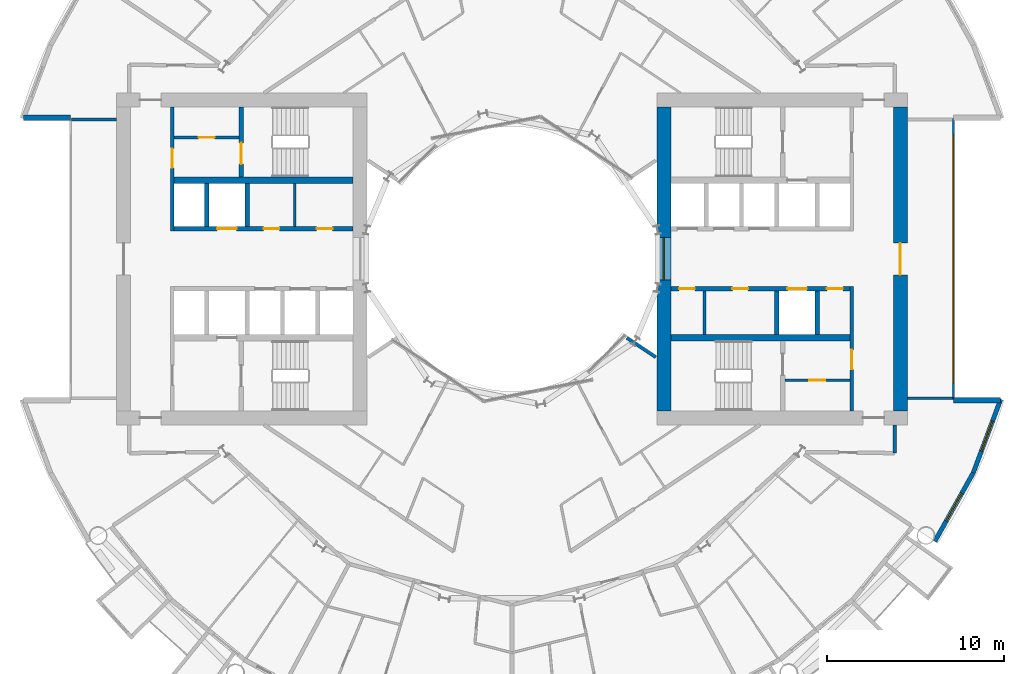
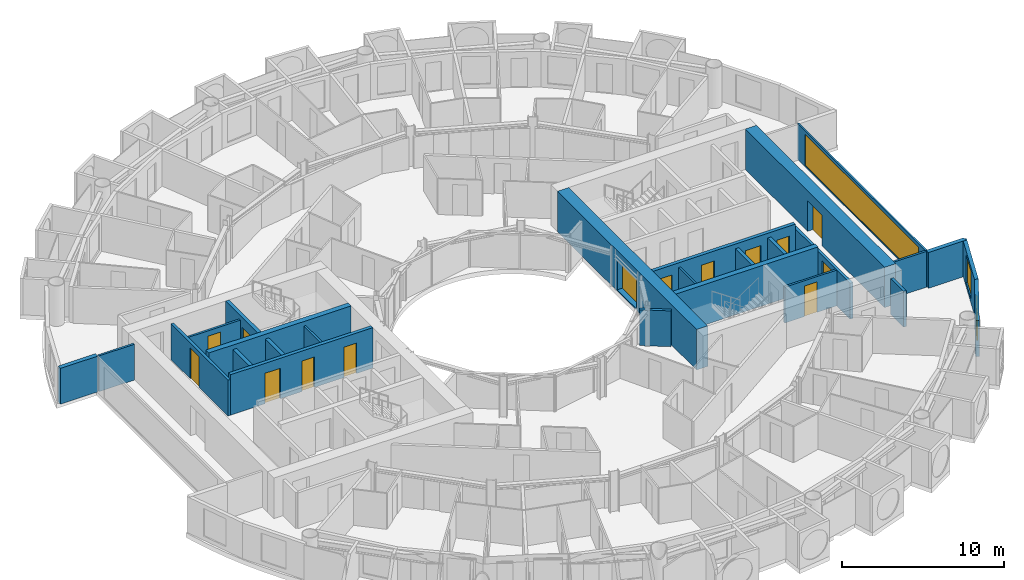
# One storey, part 17 of 26: 26 walls, 13 doors, 4 windows, 17 openings.
"""IFC4 building model written with IfcOpenShell, lengths in metres."""

from ifc_helpers import new_model, si_unit, direction, frame, frame_2d, origin, place, context, subcontext, project, spatial, rectangle, extrude, material, layer, layer_set, type_object, element, fill, save


model = new_model("IFC4")

# Units and contexts
model_context = context("Model", 3, precision=1e-05, world=origin(), true_north=direction((0.0, 1.0)))
body_context = subcontext(model_context, "Body", "Model", "MODEL_VIEW")
ifc_project = project(units=[si_unit("LENGTHUNIT", "METRE"), si_unit("AREAUNIT", "SQUARE_METRE"), si_unit("VOLUMEUNIT", "CUBIC_METRE"), si_unit("PLANEANGLEUNIT", "RADIAN"), si_unit("MASSUNIT", "GRAM", prefix="KILO")], contexts=[model_context])

# Site, building, storey
site_placement = place(None, origin())
site = spatial("IfcSite", under=ifc_project, at=site_placement, CompositionType="ELEMENT")
building_placement = place(site_placement, origin())
building = spatial("IfcBuilding", under=site, at=building_placement, Name="Maasbend Ring Residences", CompositionType="ELEMENT")
storey_placement = place(building_placement, frame((0.0, 0.0, 31.949951171875)))
storey = spatial("IfcBuildingStorey", under=building, at=storey_placement, Name="L08", CompositionType="ELEMENT", Elevation=31.949951171875)

# Wall, openings, doors
ifc_material_1 = material(Name="Concrete C70/85", Category="concrete")
ifc_layer_1 = layer(ifc_material_1, 0.25)
ifc_layer_set_1 = layer_set([ifc_layer_1], Name="Concrete C70/85")
wall_type_1 = type_object("IfcWallType", Name="CORE WALL 250 C70/85", PredefinedType="SHEAR", material=ifc_layer_set_1)
wall_1_placement = place(storey_placement, frame((19.14990234375, -1.699951171875, 0.0), z_axis=(0.0, 0.0, 1.0), x_axis=(-1.0, 0.0, 0.0)))
wall_1 = element("IfcWall", 1, at=wall_1_placement, inside=storey, type_object=wall_type_1, Name="L08 core E wall SPS", PredefinedType="SHEAR", context=body_context, shape_type="SweptSolid", body=[
    extrude(rectangle(XDim=10.14990234375, YDim=0.25, at=frame_2d((5.074951171875, 0.0))), origin(), (0.0, 0.0, 1.0), 3.050048828125),
])
opening_1_placement = place(wall_1_placement, frame((2.449951171875, 0.0, 0.0)))
opening_1 = element("IfcOpeningElement", 2, at=opening_1_placement, cuts=wall_1, Name="Opening LD-E0805", PredefinedType="OPENING", context=body_context, shape_type="SweptSolid", body=[
    extrude(rectangle(XDim=1.10009765625, YDim=2.300048828125, at=frame_2d((0.550048828125, 1.14990234375))), frame((0.0, 0.135009765625, 0.0), z_axis=(0.0, -1.0, 0.0), x_axis=(1.0, 0.0, 0.0)), (0.0, 0.0, 1.0), 0.27001953125),
])
opening_2_placement = place(wall_1_placement, frame((8.78759765625, 0.0, 0.0)))
opening_2 = element("IfcOpeningElement", 3, at=opening_2_placement, cuts=wall_1, Name="Opening D-E0806", PredefinedType="OPENING", context=body_context, shape_type="SweptSolid", body=[
    extrude(rectangle(XDim=0.89990234375, YDim=2.300048828125, at=frame_2d((0.449951171875, 1.14990234375))), frame((0.0, 0.135009765625, 0.0), z_axis=(0.0, -1.0, 0.0), x_axis=(1.0, 0.0, 0.0)), (0.0, 0.0, 1.0), 0.27001953125),
])
opening_3_placement = place(wall_1_placement, frame((5.77490234375, 0.0, 0.0)))
opening_3 = element("IfcOpeningElement", 4, at=opening_3_placement, cuts=wall_1, Name="Opening D-E0807", PredefinedType="OPENING", context=body_context, shape_type="SweptSolid", body=[
    extrude(rectangle(XDim=0.89990234375, YDim=2.300048828125, at=frame_2d((0.449951171875, 1.14990234375))), frame((0.0, 0.135009765625, 0.0), z_axis=(0.0, -1.0, 0.0), x_axis=(1.0, 0.0, 0.0)), (0.0, 0.0, 1.0), 0.27001953125),
])
opening_4_placement = place(wall_1_placement, frame((0.41259765625, 0.0, 0.0)))
opening_4 = element("IfcOpeningElement", 5, at=opening_4_placement, cuts=wall_1, Name="Opening D-E0808", PredefinedType="OPENING", context=body_context, shape_type="SweptSolid", body=[
    extrude(rectangle(XDim=0.89990234375, YDim=2.300048828125, at=frame_2d((0.449951171875, 1.14990234375))), frame((0.0, 0.135009765625, 0.0), z_axis=(0.0, -1.0, 0.0), x_axis=(1.0, 0.0, 0.0)), (0.0, 0.0, 1.0), 0.27001953125),
])
ifc_material_2 = material(Name="Stainless steel 316", Category="steel")
door_type_1 = type_object("IfcDoorType", Name="LANDING DOOR 1100 X 2300 FD60", OperationType="DOUBLE_DOOR_SLIDING", PredefinedType="DOOR", material=ifc_material_2)
door_1_placement = place(opening_1_placement, origin())
door_1 = element("IfcDoor", 6, at=door_1_placement, inside=storey, type_object=door_type_1, Name="Landing door SV-E L08", OperationType="DOUBLE_DOOR_SLIDING", OverallHeight=2.300048828125, OverallWidth=1.10009765625, PredefinedType="DOOR", context=body_context, shape_type="SweptSolid", body=[
    extrude(rectangle(XDim=1.10009765625, YDim=2.300048828125, at=frame_2d((0.550048828125, 1.14990234375))), frame((0.0, 0.02490234375, 0.0), z_axis=(0.0, -1.0, 0.0), x_axis=(1.0, 0.0, 0.0)), (0.0, 0.0, 1.0), 0.050048828125),
])
fill(opening_1, door_1)
ifc_material_3 = material(Name="Steel, powder coated", Category="steel")
door_type_2 = type_object("IfcDoorType", Name="ROOM DOOR 900 X 2300 FD30S", OperationType="NOTDEFINED", PredefinedType="DOOR", material=ifc_material_3)
door_2_placement = place(opening_2_placement, origin())
door_2 = element("IfcDoor", 7, at=door_2_placement, inside=storey, type_object=door_type_2, Name="Room door L08", OperationType="SINGLE_SWING_LEFT", OverallHeight=2.300048828125, OverallWidth=0.89990234375, PredefinedType="DOOR", context=body_context, shape_type="SweptSolid", body=[
    extrude(rectangle(XDim=0.89990234375, YDim=2.300048828125, at=frame_2d((0.449951171875, 1.14990234375))), frame((0.0, 0.02490234375, 0.0), z_axis=(0.0, -1.0, 0.0), x_axis=(1.0, 0.0, 0.0)), (0.0, 0.0, 1.0), 0.050048828125),
])
fill(opening_2, door_2)
door_3_placement = place(opening_3_placement, origin())
door_3 = element("IfcDoor", 8, at=door_3_placement, inside=storey, type_object=door_type_2, Name="Room door L08", OperationType="SINGLE_SWING_LEFT", OverallHeight=2.300048828125, OverallWidth=0.89990234375, PredefinedType="DOOR", context=body_context, shape_type="SweptSolid", body=[
    extrude(rectangle(XDim=0.89990234375, YDim=2.300048828125, at=frame_2d((0.449951171875, 1.14990234375))), frame((0.0, 0.02490234375, 0.0), z_axis=(0.0, -1.0, 0.0), x_axis=(1.0, 0.0, 0.0)), (0.0, 0.0, 1.0), 0.050048828125),
])
fill(opening_3, door_3)
door_4_placement = place(opening_4_placement, origin())
door_4 = element("IfcDoor", 9, at=door_4_placement, inside=storey, type_object=door_type_2, Name="Room door L08", OperationType="SINGLE_SWING_RIGHT", OverallHeight=2.300048828125, OverallWidth=0.89990234375, PredefinedType="DOOR", context=body_context, shape_type="SweptSolid", body=[
    extrude(rectangle(XDim=0.89990234375, YDim=2.300048828125, at=frame_2d((0.449951171875, 1.14990234375))), frame((0.0, 0.02490234375, 0.0), z_axis=(0.0, -1.0, 0.0), x_axis=(1.0, 0.0, 0.0)), (0.0, 0.0, 1.0), 0.050048828125),
])
fill(opening_4, door_4)

wall_2_placement = place(storey_placement, frame((-19.14990234375, 1.699951171875, 0.0), z_axis=(0.0, 0.0, 1.0), x_axis=(1.0, 0.0, 0.0)))
wall_2 = element("IfcWall", 10, at=wall_2_placement, inside=storey, type_object=wall_type_1, Name="L08 core W wall SPS", PredefinedType="SHEAR", context=body_context, shape_type="SweptSolid", body=[
    extrude(rectangle(XDim=10.14990234375, YDim=0.25, at=frame_2d((5.074951171875, 0.0))), origin(), (0.0, 0.0, 1.0), 3.050048828125),
])
opening_5_placement = place(wall_2_placement, frame((2.449951171875, 0.0, 0.0)))
opening_5 = element("IfcOpeningElement", 11, at=opening_5_placement, cuts=wall_2, Name="Opening LD-W0805", PredefinedType="OPENING", context=body_context, shape_type="SweptSolid", body=[
    extrude(rectangle(XDim=1.10009765625, YDim=2.300048828125, at=frame_2d((0.550048828125, 1.14990234375))), frame((0.0, 0.135009765625, 0.0), z_axis=(0.0, -1.0, 0.0), x_axis=(1.0, 0.0, 0.0)), (0.0, 0.0, 1.0), 0.27001953125),
])
opening_6_placement = place(wall_2_placement, frame((8.08740234375, 0.0, 0.0)))
opening_6 = element("IfcOpeningElement", 12, at=opening_6_placement, cuts=wall_2, Name="Opening D-W0806", PredefinedType="OPENING", context=body_context, shape_type="SweptSolid", body=[
    extrude(rectangle(XDim=0.89990234375, YDim=2.300048828125, at=frame_2d((0.449951171875, 1.14990234375))), frame((0.0, 0.135009765625, 0.0), z_axis=(0.0, -1.0, 0.0), x_axis=(1.0, 0.0, 0.0)), (0.0, 0.0, 1.0), 0.27001953125),
])
opening_7_placement = place(wall_2_placement, frame((5.074951171875, 0.0, 0.0)))
opening_7 = element("IfcOpeningElement", 13, at=opening_7_placement, cuts=wall_2, Name="Opening D-W0807", PredefinedType="OPENING", context=body_context, shape_type="SweptSolid", body=[
    extrude(rectangle(XDim=0.89990234375, YDim=2.300048828125, at=frame_2d((0.449951171875, 1.14990234375))), frame((0.0, 0.135009765625, 0.0), z_axis=(0.0, -1.0, 0.0), x_axis=(1.0, 0.0, 0.0)), (0.0, 0.0, 1.0), 0.27001953125),
])
door_5_placement = place(opening_5_placement, origin())
door_5 = element("IfcDoor", 14, at=door_5_placement, inside=storey, type_object=door_type_1, Name="Landing door SV-W L08", OperationType="DOUBLE_DOOR_SLIDING", OverallHeight=2.300048828125, OverallWidth=1.10009765625, PredefinedType="DOOR", context=body_context, shape_type="SweptSolid", body=[
    extrude(rectangle(XDim=1.10009765625, YDim=2.300048828125, at=frame_2d((0.550048828125, 1.14990234375))), frame((0.0, 0.02490234375, 0.0), z_axis=(0.0, -1.0, 0.0), x_axis=(1.0, 0.0, 0.0)), (0.0, 0.0, 1.0), 0.050048828125),
])
fill(opening_5, door_5)
door_6_placement = place(opening_6_placement, origin())
door_6 = element("IfcDoor", 15, at=door_6_placement, inside=storey, type_object=door_type_2, Name="Room door L08", OperationType="SINGLE_SWING_LEFT", OverallHeight=2.300048828125, OverallWidth=0.89990234375, PredefinedType="DOOR", context=body_context, shape_type="SweptSolid", body=[
    extrude(rectangle(XDim=0.89990234375, YDim=2.300048828125, at=frame_2d((0.449951171875, 1.14990234375))), frame((0.0, 0.02490234375, 0.0), z_axis=(0.0, -1.0, 0.0), x_axis=(1.0, 0.0, 0.0)), (0.0, 0.0, 1.0), 0.050048828125),
])
fill(opening_6, door_6)
door_7_placement = place(opening_7_placement, origin())
door_7 = element("IfcDoor", 16, at=door_7_placement, inside=storey, type_object=door_type_2, Name="Room door L08", OperationType="SINGLE_SWING_LEFT", OverallHeight=2.300048828125, OverallWidth=0.89990234375, PredefinedType="DOOR", context=body_context, shape_type="SweptSolid", body=[
    extrude(rectangle(XDim=0.89990234375, YDim=2.300048828125, at=frame_2d((0.449951171875, 1.14990234375))), frame((0.0, 0.02490234375, 0.0), z_axis=(0.0, -1.0, 0.0), x_axis=(1.0, 0.0, 0.0)), (0.0, 0.0, 1.0), 0.050048828125),
])
fill(opening_7, door_7)

# Wall, opening, door
wall_3_placement = place(storey_placement, frame((-15.324951171875, 8.60009765625, 0.0), z_axis=(0.0, 0.0, 1.0), x_axis=(0.0, -1.0, 0.0)))
wall_3 = element("IfcWall", 17, at=wall_3_placement, inside=storey, type_object=wall_type_1, Name="L08 core W wall STES", PredefinedType="SHEAR", context=body_context, shape_type="SweptSolid", body=[
    extrude(rectangle(XDim=3.9501953125, YDim=0.25, at=frame_2d((1.97509765625, 0.0))), origin(), (0.0, 0.0, 1.0), 3.050048828125),
])
opening_8_placement = place(wall_3_placement, frame((2.02490234375, 0.0, 0.0)))
opening_8 = element("IfcOpeningElement", 18, at=opening_8_placement, cuts=wall_3, Name="Opening D-W0810", PredefinedType="OPENING", context=body_context, shape_type="SweptSolid", body=[
    extrude(rectangle(XDim=1.199951171875, YDim=2.300048828125, at=frame_2d((0.60009765625, 1.14990234375))), frame((0.0, 0.135009765625, 0.0), z_axis=(0.0, -1.0, 0.0), x_axis=(1.0, 0.0, 0.0)), (0.0, 0.0, 1.0), 0.27001953125),
])
ifc_material_4 = material(Name="Steel, powder coated", Category="steel")
door_type_3 = type_object("IfcDoorType", Name="STAIR DOOR 1200 X 2300 FD60", OperationType="NOTDEFINED", PredefinedType="DOOR", material=ifc_material_4)
door_8_placement = place(opening_8_placement, origin())
door_8 = element("IfcDoor", 19, at=door_8_placement, inside=storey, type_object=door_type_3, Name="Stair door ST-W L08", OperationType="SINGLE_SWING_LEFT", OverallHeight=2.300048828125, OverallWidth=1.199951171875, PredefinedType="DOOR", context=body_context, shape_type="SweptSolid", body=[
    extrude(rectangle(XDim=1.199951171875, YDim=2.300048828125, at=frame_2d((0.60009765625, 1.14990234375))), frame((0.0, 0.02490234375, 0.0), z_axis=(0.0, -1.0, 0.0), x_axis=(1.0, 0.0, 0.0)), (0.0, 0.0, 1.0), 0.050048828125),
])
fill(opening_8, door_8)

# Walls
ifc_material_5 = material(Name="Concrete C70/85", Category="concrete")
ifc_layer_2 = layer(ifc_material_5, 0.375)
ifc_layer_set_2 = layer_set([ifc_layer_2], Name="Concrete C70/85")
wall_type_2 = type_object("IfcWallType", Name="CORE WALL 375 C70/85", PredefinedType="SHEAR", material=ifc_layer_set_2)
for number, where, z_axis, x_axis, name in (
    (20, (9.0, -4.46240234375, 0.0), (0.0, 0.0, 1.0), (1.0, 0.0, 0.0), "L08 core E wall BS"),
    (21, (-9.0, 4.46240234375, 0.0), (0.0, 0.0, 1.0), (-1.0, 0.0, 0.0), "L08 core W wall BS"),
):
    element("IfcWall", number, at=place(storey_placement, frame(where, z_axis=z_axis, x_axis=x_axis)), inside=storey, type_object=wall_type_2, Name=name, PredefinedType="SHEAR", context=body_context, shape_type="SweptSolid", body=[
        extrude(rectangle(XDim=10.14990234375, YDim=0.375, at=frame_2d((5.074951171875, 0.0))), origin(), (0.0, 0.0, 1.0), 3.050048828125),
    ])

# Wall, opening, door
ifc_material_6 = material(Name="Concrete C70/85", Category="concrete")
ifc_layer_3 = layer(ifc_material_6, 0.800048828125)
ifc_layer_set_3 = layer_set([ifc_layer_3], Name="Concrete C70/85")
wall_type_3 = type_object("IfcWallType", Name="CORE WALL 800 C70/85", PredefinedType="SHEAR", material=ifc_layer_set_3)
wall_4_placement = place(storey_placement, frame((22.0, 8.60009765625, 0.0), z_axis=(0.0, 0.0, 1.0), x_axis=(0.0, -1.0, 0.0)))
wall_4 = element("IfcWall", 22, at=wall_4_placement, inside=storey, type_object=wall_type_3, Name="L08 core E wall POUT", PredefinedType="SHEAR", context=body_context, shape_type="SweptSolid", body=[
    extrude(rectangle(XDim=17.2001953125, YDim=0.800048828125, at=frame_2d((8.60009765625, 0.0))), origin(), (0.0, 0.0, 1.0), 3.050048828125),
])
opening_9_placement = place(wall_4_placement, frame((7.699951171875, 0.0, 0.0)))
opening_9 = element("IfcOpeningElement", 23, at=opening_9_placement, cuts=wall_4, Name="Opening D-E0816", PredefinedType="OPENING", context=body_context, shape_type="SweptSolid", body=[
    extrude(rectangle(XDim=1.800048828125, YDim=2.300048828125, at=frame_2d((0.89990234375, 1.14990234375))), frame((0.0, 0.41015625, 0.0), z_axis=(0.0, -1.0, 0.0), x_axis=(1.0, 0.0, 0.0)), (0.0, 0.0, 1.0), 0.820068359375),
])
ifc_material_7 = material(Name="Aluminium frame, clear glass", Category="aluminium")
door_type_4 = type_object("IfcDoorType", Name="ENTRANCE DOOR 1800 X 2300 FD60", OperationType="NOTDEFINED", PredefinedType="DOOR", material=ifc_material_7)
door_9_placement = place(opening_9_placement, origin())
door_9 = element("IfcDoor", 24, at=door_9_placement, inside=storey, type_object=door_type_4, Name="Lobby glazed door L08", OperationType="SINGLE_SWING_LEFT", OverallHeight=2.300048828125, OverallWidth=1.800048828125, PredefinedType="DOOR", context=body_context, shape_type="SweptSolid", body=[
    extrude(rectangle(XDim=1.800048828125, YDim=2.300048828125, at=frame_2d((0.89990234375, 1.14990234375))), frame((0.0, 0.02490234375, 0.0), z_axis=(0.0, -1.0, 0.0), x_axis=(1.0, 0.0, 0.0)), (0.0, 0.0, 1.0), 0.050048828125),
])
fill(opening_9, door_9)

# Wall, opening, window
wall_5_placement = place(storey_placement, frame((8.60009765625, -8.60009765625, 0.0), z_axis=(0.0, 0.0, 1.0), x_axis=(0.0, 1.0, 0.0)))
wall_5 = element("IfcWall", 25, at=wall_5_placement, inside=storey, type_object=wall_type_3, Name="L08 core E wall PIN", PredefinedType="SHEAR", context=body_context, shape_type="SweptSolid", body=[
    extrude(rectangle(XDim=17.2001953125, YDim=0.800048828125, at=frame_2d((8.60009765625, 0.0))), origin(), (0.0, 0.0, 1.0), 3.050048828125),
])
opening_10_placement = place(wall_5_placement, frame((7.39990234375, 0.0, 0.10009765625)))
opening_10 = element("IfcOpeningElement", 26, at=opening_10_placement, cuts=wall_5, Name="Opening W-E0801", PredefinedType="OPENING", context=body_context, shape_type="SweptSolid", body=[
    extrude(rectangle(XDim=2.39990234375, YDim=2.199951171875, at=frame_2d((1.199951171875, 1.10009765625))), frame((0.0, 0.41015625, 0.0), z_axis=(0.0, -1.0, 0.0), x_axis=(1.0, 0.0, 0.0)), (0.0, 0.0, 1.0), 0.820068359375),
])
ifc_material_8 = material(Name="Aluminium frame and clear glass", Category="aluminium")
window_type_1 = type_object("IfcWindowType", Name="FIXED WINDOW 2400 X 2200", PartitioningType="SINGLE_PANEL", PredefinedType="WINDOW", material=ifc_material_8)
window_1_placement = place(opening_10_placement, origin())
window_1 = element("IfcWindow", 27, at=window_1_placement, inside=storey, type_object=window_type_1, Name="Lobby window L08", OverallHeight=2.199951171875, OverallWidth=2.39990234375, PartitioningType="SINGLE_PANEL", PredefinedType="WINDOW", context=body_context, shape_type="SweptSolid", body=[
    extrude(rectangle(XDim=2.39990234375, YDim=2.199951171875, at=frame_2d((1.199951171875, 1.10009765625))), frame((0.0, 0.030029296875, 0.0), z_axis=(0.0, -1.0, 0.0), x_axis=(1.0, 0.0, 0.0)), (0.0, 0.0, 1.0), 0.06005859375),
])
fill(opening_10, window_1)

# Wall
ifc_material_9 = material(Name="Concrete C30/37", Category="concrete")
ifc_layer_4 = layer(ifc_material_9, 0.199951171875)
ifc_layer_set_4 = layer_set([ifc_layer_4], Name="Concrete C30/37")
wall_type_4 = type_object("IfcWallType", Name="CORRIDOR WALL 200 CONCRETE", PredefinedType="PARTITIONING", material=ifc_layer_set_4)
wall_6_placement = place(storey_placement, frame((21.675048828125, -11.0, 0.0), z_axis=(0.0, 0.0, 1.0), x_axis=(0.0, 1.0, 0.0)))
element("IfcWall", 28, at=wall_6_placement, inside=storey, type_object=wall_type_4, Name="U-L08-w001", PredefinedType="PARTITIONING", context=body_context, shape_type="SweptSolid", body=[
    extrude(rectangle(XDim=1.60009765625, YDim=0.199951171875, at=frame_2d((0.800048828125, 0.0))), origin(), (0.0, 0.0, 1.0), 2.699951171875),
])

# Wall, opening, window
ifc_material_10 = material(Name="Aluminium clad insulated panel", Category="aluminium")
ifc_layer_5 = layer(ifc_material_10, 0.25)
ifc_layer_set_5 = layer_set([ifc_layer_5], Name="EW-HORN")
wall_type_5 = type_object("IfcWallType", Name="EW-HORN", PredefinedType="SOLIDWALL", material=ifc_layer_set_5)
wall_7_placement = place(storey_placement, frame((23.946044921875, -16.0, 0.0), z_axis=(0.0, 0.0, 1.0), x_axis=(0.489696356642, 0.871893042919, 0.0)))
wall_7 = element("IfcWall", 29, at=wall_7_placement, inside=storey, type_object=wall_type_5, Name="Horn wall 2.1", PredefinedType="SOLIDWALL", context=body_context, shape_type="SweptSolid", body=[
    extrude(rectangle(XDim=4.45361328125, YDim=0.25, at=frame_2d((2.226806640625, 0.0))), origin(), (0.0, 0.0, 1.0), 2.699951171875),
])
opening_11_placement = place(wall_7_placement, frame((1.32666015625, 0.0, 0.300048828125)))
opening_11 = element("IfcOpeningElement", 30, at=opening_11_placement, cuts=wall_7, Name="Opening W-BX", PredefinedType="OPENING", context=body_context, shape_type="SweptSolid", body=[
    extrude(rectangle(XDim=1.800048828125, YDim=2.10009765625, at=frame_2d((0.89990234375, 1.050048828125))), frame((0.0, 0.135009765625, 0.0), z_axis=(0.0, -1.0, 0.0), x_axis=(1.0, 0.0, 0.0)), (0.0, 0.0, 1.0), 0.27001953125),
])
ifc_material_11 = material(Name="Aluminium and clear glass", Category="aluminium")
window_type_2 = type_object("IfcWindowType", Name="W-BX", PartitioningType="DOUBLE_PANEL_VERTICAL", PredefinedType="WINDOW", material=ifc_material_11)
window_2_placement = place(opening_11_placement, origin())
window_2 = element("IfcWindow", 31, at=window_2_placement, inside=storey, type_object=window_type_2, Name="Horn window 2.1", OverallHeight=2.10009765625, OverallWidth=1.800048828125, PartitioningType="SINGLE_PANEL", PredefinedType="WINDOW", context=body_context, shape_type="SweptSolid", body=[
    extrude(rectangle(XDim=1.800048828125, YDim=2.10009765625, at=frame_2d((0.89990234375, 1.050048828125))), frame((0.0, 0.030029296875, 0.0), z_axis=(0.0, -1.0, 0.0), x_axis=(1.0, 0.0, 0.0)), (0.0, 0.0, 1.0), 0.06005859375),
])
fill(opening_11, window_2)

wall_8_placement = place(storey_placement, frame((26.126953125, -12.116943359375, 0.0), z_axis=(0.0, 0.0, 1.0), x_axis=(0.349247811493, 0.937030397675, 0.0)))
wall_8 = element("IfcWall", 32, at=wall_8_placement, inside=storey, type_object=wall_type_5, Name="Horn wall 2.2", PredefinedType="SOLIDWALL", context=body_context, shape_type="SweptSolid", body=[
    extrude(rectangle(XDim=4.4521484375, YDim=0.25, at=frame_2d((2.22607421875, 0.0))), origin(), (0.0, 0.0, 1.0), 2.699951171875),
])
opening_12_placement = place(wall_8_placement, frame((1.32666015625, 0.0, 0.300048828125)))
opening_12 = element("IfcOpeningElement", 33, at=opening_12_placement, cuts=wall_8, Name="Opening W-BX", PredefinedType="OPENING", context=body_context, shape_type="SweptSolid", body=[
    extrude(rectangle(XDim=1.800048828125, YDim=2.10009765625, at=frame_2d((0.89990234375, 1.050048828125))), frame((0.0, 0.135009765625, 0.0), z_axis=(0.0, -1.0, 0.0), x_axis=(1.0, 0.0, 0.0)), (0.0, 0.0, 1.0), 0.27001953125),
])
window_3_placement = place(opening_12_placement, origin())
window_3 = element("IfcWindow", 34, at=window_3_placement, inside=storey, type_object=window_type_2, Name="Horn window 2.2", OverallHeight=2.10009765625, OverallWidth=1.800048828125, PartitioningType="SINGLE_PANEL", PredefinedType="WINDOW", context=body_context, shape_type="SweptSolid", body=[
    extrude(rectangle(XDim=1.800048828125, YDim=2.10009765625, at=frame_2d((0.89990234375, 1.050048828125))), frame((0.0, 0.030029296875, 0.0), z_axis=(0.0, -1.0, 0.0), x_axis=(1.0, 0.0, 0.0)), (0.0, 0.0, 1.0), 0.06005859375),
])
fill(opening_12, window_3)

# Walls
ifc_material_12 = material(Name="Aluminium clad insulated panel", Category="aluminium")
ifc_layer_6 = layer(ifc_material_12, 0.300048828125)
ifc_layer_set_6 = layer_set([ifc_layer_6], Name="EW-RET")
wall_type_6 = type_object("IfcWallType", Name="EW-RET", PredefinedType="SOLIDWALL", material=ifc_layer_set_6)
for number, where, z_axis, x_axis, name in (
    (35, (25.0, -8.0, 0.0), (0.0, 0.0, 1.0), (1.0, 0.0, 0.0), "Notch return wall east south"),
    (36, (-25.0, 8.0, 0.0), (0.0, 0.0, 1.0), (-1.0, 0.0, 0.0), "Notch return wall west north"),
):
    element("IfcWall", number, at=place(storey_placement, frame(where, z_axis=z_axis, x_axis=x_axis)), inside=storey, type_object=wall_type_6, Name=name, PredefinedType="SOLIDWALL", context=body_context, shape_type="SweptSolid", body=[
        extrude(rectangle(XDim=2.6669921875, YDim=0.300048828125, at=frame_2d((1.33349609375, 0.0))), origin(), (0.0, 0.0, 1.0), 2.699951171875),
    ])

# Wall, opening, window
ifc_material_13 = material(Name="Aluminium frame and clear glass", Category="aluminium")
ifc_layer_7 = layer(ifc_material_13, 0.1201171875)
ifc_layer_set_7 = layer_set([ifc_layer_7], Name="GLAZED SCREEN WALL 120 EI 60")
wall_type_7 = type_object("IfcWallType", Name="GLAZED SCREEN WALL 120 EI 60", PredefinedType="PARTITIONING", material=ifc_layer_set_7)
wall_9_placement = place(storey_placement, frame((25.0, -7.949951171875, 0.0), z_axis=(0.0, 0.0, 1.0), x_axis=(0.0, 1.0, 0.0)))
wall_9 = element("IfcWall", 37, at=wall_9_placement, inside=storey, type_object=wall_type_7, Name="L08 core E wall FACE", PredefinedType="PARTITIONING", context=body_context, shape_type="SweptSolid", body=[
    extrude(rectangle(XDim=15.89990234375, YDim=0.1201171875, at=frame_2d((7.949951171875, 0.0))), origin(), (0.0, 0.0, 1.0), 2.699951171875),
])
opening_13_placement = place(wall_9_placement, frame((0.949951171875, 0.0, 0.10009765625)))
opening_13 = element("IfcOpeningElement", 38, at=opening_13_placement, cuts=wall_9, Name="Opening W-E0802", PredefinedType="OPENING", context=body_context, shape_type="SweptSolid", body=[
    extrude(rectangle(XDim=14.0, YDim=2.35009765625, at=frame_2d((7.0, 1.175048828125))), frame((0.0, 0.070068359375, 0.0), z_axis=(0.0, -1.0, 0.0), x_axis=(1.0, 0.0, 0.0)), (0.0, 0.0, 1.0), 0.14013671875),
])
ifc_material_14 = material(Name="Aluminium frame and clear glass", Category="aluminium")
window_type_3 = type_object("IfcWindowType", Name="FIXED WINDOW 14000 X 2350", PartitioningType="SINGLE_PANEL", PredefinedType="WINDOW", material=ifc_material_14)
window_4_placement = place(opening_13_placement, origin())
window_4 = element("IfcWindow", 39, at=window_4_placement, inside=storey, type_object=window_type_3, Name="Lobby window L08", OverallHeight=2.35009765625, OverallWidth=14.0, PartitioningType="SINGLE_PANEL", PredefinedType="WINDOW", context=body_context, shape_type="SweptSolid", body=[
    extrude(rectangle(XDim=14.0, YDim=2.35009765625, at=frame_2d((7.0, 1.175048828125))), frame((0.0, 0.030029296875, 0.0), z_axis=(0.0, -1.0, 0.0), x_axis=(1.0, 0.0, 0.0)), (0.0, 0.0, 1.0), 0.06005859375),
])
fill(opening_13, window_4)

# Wall
ifc_material_15 = material(Name="Gypsum board on steel studs", Category="steel")
ifc_layer_8 = layer(ifc_material_15, 0.14990234375)
ifc_layer_set_8 = layer_set([ifc_layer_8], Name="PARTITION 150 EI 60")
wall_type_8 = type_object("IfcWallType", Name="PARTITION 150 EI 60", PredefinedType="PARTITIONING", material=ifc_layer_set_8)
wall_10_placement = place(storey_placement, frame((10.89990234375, -1.824951171875, 0.0), z_axis=(0.0, 0.0, 1.0), x_axis=(0.0, -1.0, 0.0)))
element("IfcWall", 40, at=wall_10_placement, inside=storey, type_object=wall_type_8, Name="L08 core E wall PRS1090", PredefinedType="PARTITIONING", context=body_context, shape_type="SweptSolid", body=[
    extrude(rectangle(XDim=2.449951171875, YDim=0.14990234375, at=frame_2d((1.22509765625, 0.0))), origin(), (0.0, 0.0, 1.0), 2.699951171875),
])

# Wall, opening, door
wall_11_placement = place(storey_placement, frame((15.449951171875, -6.875, 0.0), z_axis=(0.0, 0.0, 1.0), x_axis=(1.0, 0.0, 0.0)))
wall_11 = element("IfcWall", 41, at=wall_11_placement, inside=storey, type_object=wall_type_8, Name="L08 core E wall RHS", PredefinedType="PARTITIONING", context=body_context, shape_type="SweptSolid", body=[
    extrude(rectangle(XDim=3.699951171875, YDim=0.14990234375, at=frame_2d((1.85009765625, 0.0))), origin(), (0.0, 0.0, 1.0), 2.699951171875),
])
opening_14_placement = place(wall_11_placement, frame((1.39990234375, 0.0, 0.0)))
opening_14 = element("IfcOpeningElement", 42, at=opening_14_placement, cuts=wall_11, Name="Opening D-E0809", PredefinedType="OPENING", context=body_context, shape_type="SweptSolid", body=[
    extrude(rectangle(XDim=0.89990234375, YDim=2.300048828125, at=frame_2d((0.449951171875, 1.14990234375))), frame((0.0, 0.0849609375, 0.0), z_axis=(0.0, -1.0, 0.0), x_axis=(1.0, 0.0, 0.0)), (0.0, 0.0, 1.0), 0.169921875),
])
ifc_material_16 = material(Name="Steel, powder coated", Category="steel")
door_type_5 = type_object("IfcDoorType", Name="RISER DOOR 900 X 2300 FD60", OperationType="NOTDEFINED", PredefinedType="DOOR", material=ifc_material_16)
door_10_placement = place(opening_14_placement, origin())
door_10 = element("IfcDoor", 43, at=door_10_placement, inside=storey, type_object=door_type_5, Name="Riser door L08", OperationType="SINGLE_SWING_LEFT", OverallHeight=2.300048828125, OverallWidth=0.89990234375, PredefinedType="DOOR", context=body_context, shape_type="SweptSolid", body=[
    extrude(rectangle(XDim=0.89990234375, YDim=2.300048828125, at=frame_2d((0.449951171875, 1.14990234375))), frame((0.0, 0.02490234375, 0.0), z_axis=(0.0, -1.0, 0.0), x_axis=(1.0, 0.0, 0.0)), (0.0, 0.0, 1.0), 0.050048828125),
])
fill(opening_14, door_10)

# Walls
wall_12_placement = place(storey_placement, frame((22.39990234375, -7.89990234375, 0.0), z_axis=(0.0, 0.0, 1.0), x_axis=(1.0, 0.0, 0.0)))
element("IfcWall", 44, at=wall_12_placement, inside=storey, type_object=wall_type_8, Name="L08 core E wall CITS", PredefinedType="PARTITIONING", context=body_context, shape_type="SweptSolid", body=[
    extrude(rectangle(XDim=2.5400390625, YDim=0.14990234375, at=frame_2d((1.27001953125, 0.0))), origin(), (0.0, 0.0, 1.0), 2.699951171875),
])
wall_13_placement = place(storey_placement, frame((-12.300048828125, 1.824951171875, 0.0), z_axis=(0.0, 0.0, 1.0), x_axis=(0.0, 1.0, 0.0)))
element("IfcWall", 45, at=wall_13_placement, inside=storey, type_object=wall_type_8, Name="L08 core W wall PRS1230", PredefinedType="PARTITIONING", context=body_context, shape_type="SweptSolid", body=[
    extrude(rectangle(XDim=2.449951171875, YDim=0.14990234375, at=frame_2d((1.22509765625, 0.0))), origin(), (0.0, 0.0, 1.0), 2.699951171875),
])

# Wall, opening, door
wall_14_placement = place(storey_placement, frame((-15.449951171875, 6.875, 0.0), z_axis=(0.0, 0.0, 1.0), x_axis=(-1.0, 0.0, 0.0)))
wall_14 = element("IfcWall", 46, at=wall_14_placement, inside=storey, type_object=wall_type_8, Name="L08 core W wall RHS", PredefinedType="PARTITIONING", context=body_context, shape_type="SweptSolid", body=[
    extrude(rectangle(XDim=3.699951171875, YDim=0.14990234375, at=frame_2d((1.85009765625, 0.0))), origin(), (0.0, 0.0, 1.0), 2.699951171875),
])
opening_15_placement = place(wall_14_placement, frame((1.39990234375, 0.0, 0.0)))
opening_15 = element("IfcOpeningElement", 47, at=opening_15_placement, cuts=wall_14, Name="Opening D-W0808", PredefinedType="OPENING", context=body_context, shape_type="SweptSolid", body=[
    extrude(rectangle(XDim=0.89990234375, YDim=2.300048828125, at=frame_2d((0.449951171875, 1.14990234375))), frame((0.0, 0.0849609375, 0.0), z_axis=(0.0, -1.0, 0.0), x_axis=(1.0, 0.0, 0.0)), (0.0, 0.0, 1.0), 0.169921875),
])
door_11_placement = place(opening_15_placement, origin())
door_11 = element("IfcDoor", 48, at=door_11_placement, inside=storey, type_object=door_type_5, Name="Riser door L08", OperationType="SINGLE_SWING_LEFT", OverallHeight=2.300048828125, OverallWidth=0.89990234375, PredefinedType="DOOR", context=body_context, shape_type="SweptSolid", body=[
    extrude(rectangle(XDim=0.89990234375, YDim=2.300048828125, at=frame_2d((0.449951171875, 1.14990234375))), frame((0.0, 0.02490234375, 0.0), z_axis=(0.0, -1.0, 0.0), x_axis=(1.0, 0.0, 0.0)), (0.0, 0.0, 1.0), 0.050048828125),
])
fill(opening_15, door_11)

# Walls
wall_15_placement = place(storey_placement, frame((-22.39990234375, 7.89990234375, 0.0), z_axis=(0.0, 0.0, 1.0), x_axis=(-1.0, 0.0, 0.0)))
element("IfcWall", 49, at=wall_15_placement, inside=storey, type_object=wall_type_8, Name="L08 core W wall CITS", PredefinedType="PARTITIONING", context=body_context, shape_type="SweptSolid", body=[
    extrude(rectangle(XDim=2.5400390625, YDim=0.14990234375, at=frame_2d((1.27001953125, 0.0))), origin(), (0.0, 0.0, 1.0), 2.699951171875),
])
ifc_material_17 = material(Name="Concrete C30/37", Category="concrete")
ifc_layer_9 = layer(ifc_material_17, 0.199951171875)
ifc_layer_set_9 = layer_set([ifc_layer_9], Name="Concrete C30/37")
wall_type_9 = type_object("IfcWallType", Name="PARTY WALL 200 CONCRETE", PredefinedType="PARTITIONING", material=ifc_layer_set_9)
wall_16_placement = place(storey_placement, frame((6.512939453125, -4.471923828125, 0.0), z_axis=(0.0, 0.0, 1.0), x_axis=(0.831417956244, -0.555647533996, 0.0)))
element("IfcWall", 50, at=wall_16_placement, inside=storey, type_object=wall_type_9, Name="U-L08-w024", PredefinedType="PARTITIONING", context=body_context, shape_type="SweptSolid", body=[
    extrude(rectangle(XDim=1.9619140625, YDim=0.199951171875, at=frame_2d((0.98095703125, 0.0))), origin(), (0.0, 0.0, 1.0), 2.699951171875),
])

# Wall, opening, door
ifc_material_18 = material(Name="Concrete C30/37", Category="concrete")
ifc_layer_10 = layer(ifc_material_18, 0.199951171875)
ifc_layer_set_10 = layer_set([ifc_layer_10], Name="Concrete C30/37")
wall_type_10 = type_object("IfcWallType", Name="SHAFT WALL 200 EI 120", PredefinedType="SOLIDWALL", material=ifc_layer_set_10)
wall_17_placement = place(storey_placement, frame((19.25, -8.60009765625, 0.0), z_axis=(0.0, 0.0, 1.0), x_axis=(0.0, 1.0, 0.0)))
wall_17 = element("IfcWall", 51, at=wall_17_placement, inside=storey, type_object=wall_type_10, Name="L08 core E wall ENDS", PredefinedType="SOLIDWALL", context=body_context, shape_type="SweptSolid", body=[
    extrude(rectangle(XDim=7.025146484375, YDim=0.199951171875, at=frame_2d((3.5126953125, 0.0))), origin(), (0.0, 0.0, 1.0), 2.699951171875),
])
opening_16_placement = place(wall_17_placement, frame((2.35009765625, 0.0, 0.0)))
opening_16 = element("IfcOpeningElement", 52, at=opening_16_placement, cuts=wall_17, Name="Opening D-E0813", PredefinedType="OPENING", context=body_context, shape_type="SweptSolid", body=[
    extrude(rectangle(XDim=1.10009765625, YDim=2.300048828125, at=frame_2d((0.550048828125, 1.14990234375))), frame((0.0, 0.10986328125, 0.0), z_axis=(0.0, -1.0, 0.0), x_axis=(1.0, 0.0, 0.0)), (0.0, 0.0, 1.0), 0.219970703125),
])
ifc_material_19 = material(Name="Steel, powder coated", Category="steel")
door_type_6 = type_object("IfcDoorType", Name="LOBBY DOOR 1100 X 2300 FD60", OperationType="NOTDEFINED", PredefinedType="DOOR", material=ifc_material_19)
door_12_placement = place(opening_16_placement, origin())
door_12 = element("IfcDoor", 53, at=door_12_placement, inside=storey, type_object=door_type_6, Name="Lobby door L08", OperationType="SINGLE_SWING_RIGHT", OverallHeight=2.300048828125, OverallWidth=1.10009765625, PredefinedType="DOOR", context=body_context, shape_type="SweptSolid", body=[
    extrude(rectangle(XDim=1.10009765625, YDim=2.300048828125, at=frame_2d((0.550048828125, 1.14990234375))), frame((0.0, 0.02490234375, 0.0), z_axis=(0.0, -1.0, 0.0), x_axis=(1.0, 0.0, 0.0)), (0.0, 0.0, 1.0), 0.050048828125),
])
fill(opening_16, door_12)

wall_18_placement = place(storey_placement, frame((-19.25, 8.60009765625, 0.0), z_axis=(0.0, 0.0, 1.0), x_axis=(0.0, -1.0, 0.0)))
wall_18 = element("IfcWall", 54, at=wall_18_placement, inside=storey, type_object=wall_type_10, Name="L08 core W wall ENDS", PredefinedType="SOLIDWALL", context=body_context, shape_type="SweptSolid", body=[
    extrude(rectangle(XDim=7.025146484375, YDim=0.199951171875, at=frame_2d((3.5126953125, 0.0))), origin(), (0.0, 0.0, 1.0), 2.699951171875),
])
opening_17_placement = place(wall_18_placement, frame((2.35009765625, 0.0, 0.0)))
opening_17 = element("IfcOpeningElement", 55, at=opening_17_placement, cuts=wall_18, Name="Opening D-W0812", PredefinedType="OPENING", context=body_context, shape_type="SweptSolid", body=[
    extrude(rectangle(XDim=1.10009765625, YDim=2.300048828125, at=frame_2d((0.550048828125, 1.14990234375))), frame((0.0, 0.10986328125, 0.0), z_axis=(0.0, -1.0, 0.0), x_axis=(1.0, 0.0, 0.0)), (0.0, 0.0, 1.0), 0.219970703125),
])
door_13_placement = place(opening_17_placement, origin())
door_13 = element("IfcDoor", 56, at=door_13_placement, inside=storey, type_object=door_type_6, Name="Lobby door L08", OperationType="SINGLE_SWING_RIGHT", OverallHeight=2.300048828125, OverallWidth=1.10009765625, PredefinedType="DOOR", context=body_context, shape_type="SweptSolid", body=[
    extrude(rectangle(XDim=1.10009765625, YDim=2.300048828125, at=frame_2d((0.550048828125, 1.14990234375))), frame((0.0, 0.02490234375, 0.0), z_axis=(0.0, -1.0, 0.0), x_axis=(1.0, 0.0, 0.0)), (0.0, 0.0, 1.0), 0.050048828125),
])
fill(opening_17, door_13)

# Walls
ifc_material_20 = material(Name="Concrete C30/37", Category="concrete")
ifc_layer_11 = layer(ifc_material_20, 0.25)
ifc_layer_set_11 = layer_set([ifc_layer_11], Name="Concrete C30/37")
wall_type_11 = type_object("IfcWallType", Name="SHAFT WALL 250 EI 120", PredefinedType="SOLIDWALL", material=ifc_layer_set_11)
for number, where, z_axis, x_axis, name in (
    (57, (15.0, -1.824951171875, 0.0), (0.0, 0.0, 1.0), (0.0, -1.0, 0.0), "L08 core E wall D150S"),
    (58, (17.300048828125, -1.824951171875, 0.0), (0.0, 0.0, 1.0), (0.0, -1.0, 0.0), "L08 core E wall D173S"),
    (59, (-15.0, 1.824951171875, 0.0), (0.0, 0.0, 1.0), (0.0, 1.0, 0.0), "L08 core W wall D150S"),
    (60, (-17.300048828125, 1.824951171875, 0.0), (0.0, 0.0, 1.0), (0.0, 1.0, 0.0), "L08 core W wall D173S"),
):
    element("IfcWall", number, at=place(storey_placement, frame(where, z_axis=z_axis, x_axis=x_axis)), inside=storey, type_object=wall_type_11, Name=name, PredefinedType="SOLIDWALL", context=body_context, shape_type="SweptSolid", body=[
        extrude(rectangle(XDim=2.449951171875, YDim=0.25, at=frame_2d((1.22509765625, 0.0))), origin(), (0.0, 0.0, 1.0), 2.699951171875),
    ])

save(model, "model.ifc")
